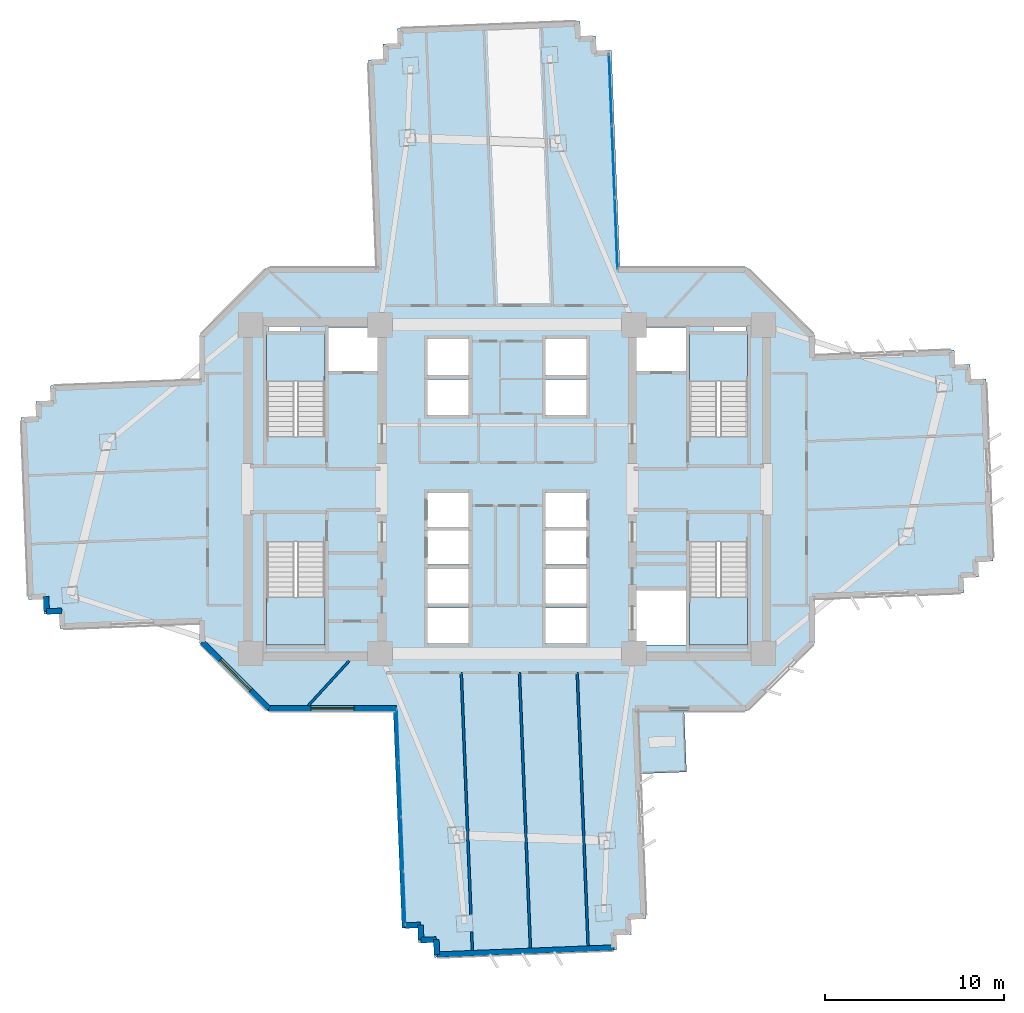
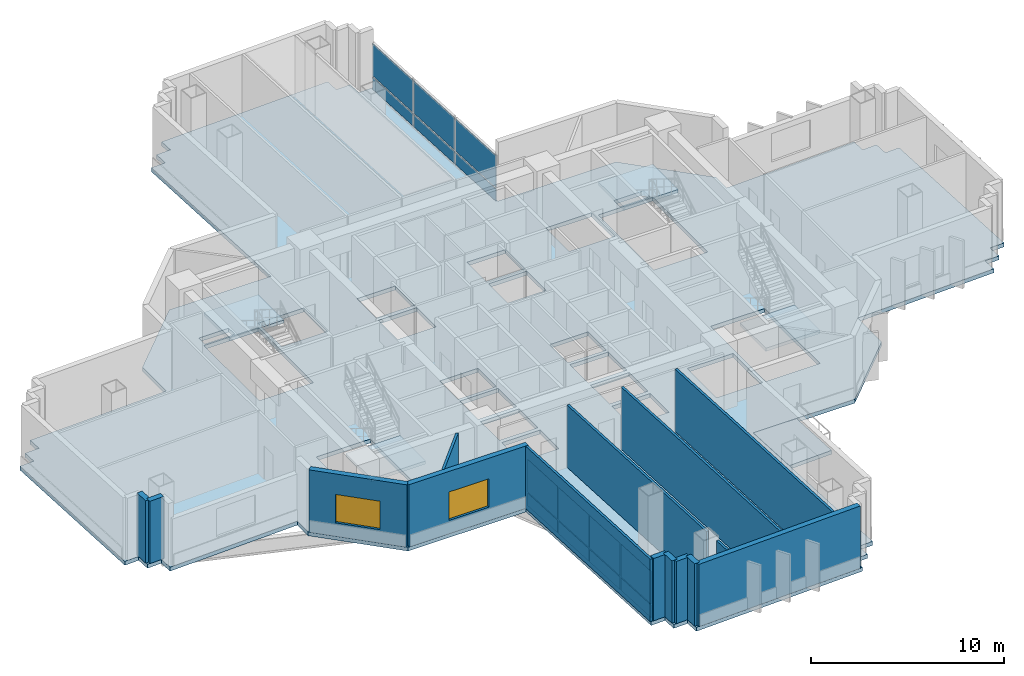
# One storey, part 5 of 16: 15 walls, 14 plates, 6 slabs, 2 windows, 2 openings, 6 elements without a shape of their own.
"""IFC4 building model written with IfcOpenShell, lengths in metres."""

from ifc_helpers import new_model, si_unit, direction, frame, frame_2d, origin, origin_2d, place, context, subcontext, project, spatial, polyline, rectangle, outline, extrude, source, transform, mapped, material, layer, layer_set, type_object, element, fill, aggregate, save


model = new_model("IFC4")

# Units and contexts
model_context = context("Model", 3, precision=1e-05, world=origin(), true_north=direction((0.0, 1.0)))
body_context = subcontext(model_context, "Body", "Model", "MODEL_VIEW")
ifc_project = project(units=[si_unit("LENGTHUNIT", "METRE"), si_unit("AREAUNIT", "SQUARE_METRE"), si_unit("VOLUMEUNIT", "CUBIC_METRE"), si_unit("PLANEANGLEUNIT", "RADIAN"), si_unit("MASSUNIT", "GRAM", prefix="KILO")], contexts=[model_context])

# Site, building, storey
site_placement = place(None, origin())
site = spatial("IfcSite", under=ifc_project, at=site_placement, CompositionType="ELEMENT")
building_placement = place(site_placement, origin())
building = spatial("IfcBuilding", under=site, at=building_placement, Name="Zahravan Cultural Tower", CompositionType="ELEMENT")
storey_placement = place(building_placement, frame((0.0, 0.0, 54.300048828125)))
storey = spatial("IfcBuildingStorey", under=building, at=storey_placement, Name="L11", CompositionType="ELEMENT", Elevation=54.300048828125)

# Stair, slab
ifc_material_1 = material(Name="Concrete C45/55", Category="concrete")
stair_type = type_object("IfcStairType", Name="STR-DL-1550-420", PredefinedType="HALF_TURN_STAIR", material=ifc_material_1)
stair_1_placement = place(storey_placement, origin())
stair_1 = element("IfcStair", 1, at=stair_1_placement, inside=storey, type_object=stair_type, Name="L11 West Core North Exit Stair ST-W1", PredefinedType="HALF_TURN_STAIR")
ifc_layer_1 = layer(ifc_material_1, 0.199951171875)
ifc_layer_set_1 = layer_set([ifc_layer_1], Name="Concrete C45/55")
slab_type_1 = type_object("IfcSlabType", Name="SL-STAIR-LND200", PredefinedType="LANDING", material=ifc_layer_set_1)
slab_1_placement = place(storey_placement, frame((0.0, 0.0, 1.89990234375)))
slab_1 = element("IfcSlab", 2, at=slab_1_placement, type_object=slab_type_1, Name="ST-W1 landing 1", PredefinedType="LANDING", context=body_context, shape_type="SweptSolid", body=[
    extrude(outline(polyline([(25.800048828125, 33.030029296875), (25.800048828125, 35.699951171875), (22.550048828125, 35.699951171875), (22.550048828125, 33.030029296875), (25.800048828125, 33.030029296875)])), origin(), (0.0, 0.0, 1.0), 0.199951171875),
])
aggregate(stair_1, [slab_1])

stair_2_placement = place(storey_placement, origin())
stair_2 = element("IfcStair", 3, at=stair_2_placement, inside=storey, type_object=stair_type, Name="L11 West Core South Exit Stair ST-W2", PredefinedType="HALF_TURN_STAIR")
slab_2_placement = place(storey_placement, frame((0.0, 0.0, 1.89990234375)))
slab_2 = element("IfcSlab", 4, at=slab_2_placement, type_object=slab_type_1, Name="ST-W2 landing 1", PredefinedType="LANDING", context=body_context, shape_type="SweptSolid", body=[
    extrude(outline(polyline([(22.550048828125, 20.969970703125), (22.550048828125, 18.300048828125), (25.800048828125, 18.300048828125), (25.800048828125, 20.969970703125), (22.550048828125, 20.969970703125)])), origin(), (0.0, 0.0, 1.0), 0.199951171875),
])
aggregate(stair_2, [slab_2])

stair_3_placement = place(storey_placement, origin())
stair_3 = element("IfcStair", 5, at=stair_3_placement, inside=storey, type_object=stair_type, Name="L11 East Core North Exit Stair ST-E1", PredefinedType="HALF_TURN_STAIR")
slab_3_placement = place(storey_placement, frame((0.0, 0.0, 1.89990234375)))
slab_3 = element("IfcSlab", 6, at=slab_3_placement, type_object=slab_type_1, Name="ST-E1 landing 1", PredefinedType="LANDING", context=body_context, shape_type="SweptSolid", body=[
    extrude(outline(polyline([(49.449951171875, 33.030029296875), (49.449951171875, 35.699951171875), (46.199951171875, 35.699951171875), (46.199951171875, 33.030029296875), (49.449951171875, 33.030029296875)])), origin(), (0.0, 0.0, 1.0), 0.199951171875),
])
aggregate(stair_3, [slab_3])

stair_4_placement = place(storey_placement, origin())
stair_4 = element("IfcStair", 7, at=stair_4_placement, inside=storey, type_object=stair_type, Name="L11 East Core South Exit Stair ST-E2", PredefinedType="HALF_TURN_STAIR")
slab_4_placement = place(storey_placement, frame((0.0, 0.0, 1.89990234375)))
slab_4 = element("IfcSlab", 8, at=slab_4_placement, type_object=slab_type_1, Name="ST-E2 landing 1", PredefinedType="LANDING", context=body_context, shape_type="SweptSolid", body=[
    extrude(outline(polyline([(46.199951171875, 20.969970703125), (46.199951171875, 18.300048828125), (49.449951171875, 18.300048828125), (49.449951171875, 20.969970703125), (46.199951171875, 20.969970703125)])), origin(), (0.0, 0.0, 1.0), 0.199951171875),
])
aggregate(stair_4, [slab_4])

# Slabs
ifc_material_2 = material(Name="Concrete C40/50", Category="concrete")
ifc_layer_2 = layer(ifc_material_2, 0.239990234375)
ifc_layer_set_2 = layer_set([ifc_layer_2], Name="Concrete C40/50")
slab_type_2 = type_object("IfcSlabType", Name="SL-TERR-240", PredefinedType="FLOOR", material=ifc_layer_set_2)
slab_5_placement = place(storey_placement, frame((0.0, 0.0, -0.239990234375)))
element("IfcSlab", 9, at=slab_5_placement, inside=storey, type_object=slab_type_2, Name="L11 Planted Sculpture Terrace SE", PredefinedType="FLOOR", context=body_context, shape_type="SweptSolid", body=[
    extrude(outline(polyline([(46.037109375, 11.186767578125), (45.9013671875, 14.594970703125), (43.30419921875, 14.594970703125), (43.444091796875, 11.08349609375), (46.037109375, 11.186767578125)])), origin(), (0.0, 0.0, 1.0), 0.239990234375),
])
ifc_layer_3 = layer(ifc_material_2, 0.25)
ifc_layer_set_3 = layer_set([ifc_layer_3], Name="Concrete C40/50")
slab_type_3 = type_object("IfcSlabType", Name="SL-TYP-250", PredefinedType="FLOOR", material=ifc_layer_set_3)
slab_6_placement = place(storey_placement, frame((0.0, 0.0, -0.25)))
element("IfcSlab", 10, at=slab_6_placement, inside=storey, type_object=slab_type_3, Name="L11 Structural Floor Slab", PredefinedType="FLOOR", context=body_context, shape_type="SweptSolid", body=[
    extrude(outline(polyline([(53.199951171875, 34.490234375), (53.199951171875, 35.60009765625), (49.39990234375, 39.39990234375), (42.311767578125, 39.39990234375), (41.827880859375, 51.55126953125), (40.978515625, 51.517578125), (40.944580078125, 52.36669921875), (40.095458984375, 52.3330078125), (40.0615234375, 53.182373046875), (29.86962890625, 52.776611328125), (29.903564453125, 51.92724609375), (29.05419921875, 51.893310546875), (29.087890625, 51.044189453125), (28.23876953125, 51.01025390625), (28.700927734375, 39.39990234375), (22.60009765625, 39.39990234375), (18.800048828125, 35.60009765625), (18.800048828125, 33.12060546875), (10.449462890625, 32.7880859375), (10.4833984375, 31.938720703125), (9.634033203125, 31.905029296875), (9.667724609375, 31.0556640625), (8.818603515625, 31.021728515625), (9.224365234375, 20.829833984375), (10.073486328125, 20.86376953125), (10.107421875, 20.014404296875), (10.956787109375, 20.048095703125), (10.990478515625, 19.198974609375), (18.800048828125, 19.509765625), (18.800048828125, 18.39990234375), (22.60009765625, 14.60009765625), (29.688232421875, 14.60009765625), (30.172119140625, 2.44873046875), (31.021484375, 2.482421875), (31.055419921875, 1.63330078125), (31.904541015625, 1.6669921875), (31.9384765625, 0.817626953125), (42.13037109375, 1.223388671875), (42.096435546875, 2.07275390625), (42.94580078125, 2.106689453125), (42.912109375, 2.955810546875), (43.76123046875, 2.98974609375), (43.299072265625, 14.60009765625), (49.39990234375, 14.60009765625), (53.199951171875, 18.39990234375), (53.199951171875, 20.87939453125), (61.550537109375, 21.2119140625), (61.5166015625, 22.061279296875), (62.365966796875, 22.094970703125), (62.332275390625, 22.9443359375), (63.181396484375, 22.978271484375), (62.775634765625, 33.170166015625), (61.926513671875, 33.13623046875), (61.892578125, 33.985595703125), (61.043212890625, 33.951904296875), (61.009521484375, 34.801025390625), (53.199951171875, 34.490234375)]), holes=[polyline([(22.550048828125, 29.949951171875), (22.550048828125, 35.699951171875), (25.800048828125, 35.699951171875), (25.800048828125, 29.949951171875), (22.550048828125, 29.949951171875)]), polyline([(22.550048828125, 18.300048828125), (22.550048828125, 24.050048828125), (25.800048828125, 24.050048828125), (25.800048828125, 18.300048828125), (22.550048828125, 18.300048828125)]), polyline([(46.199951171875, 29.949951171875), (46.199951171875, 35.699951171875), (49.449951171875, 35.699951171875), (49.449951171875, 29.949951171875), (46.199951171875, 29.949951171875)]), polyline([(46.199951171875, 18.300048828125), (46.199951171875, 24.050048828125), (49.449951171875, 24.050048828125), (49.449951171875, 18.300048828125), (46.199951171875, 18.300048828125)]), polyline([(26.0, 33.60009765625), (26.0, 36.050048828125), (28.75, 36.050048828125), (28.75, 33.60009765625), (26.0, 33.60009765625)]), polyline([(43.25, 33.60009765625), (43.25, 36.050048828125), (46.0, 36.050048828125), (46.0, 33.60009765625), (43.25, 33.60009765625)]), polyline([(43.25, 18.300048828125), (43.25, 21.35009765625), (46.0, 21.35009765625), (46.0, 18.300048828125), (43.25, 18.300048828125)]), polyline([(31.550048828125, 33.39990234375), (31.550048828125, 35.39990234375), (33.85009765625, 35.39990234375), (33.85009765625, 33.39990234375), (31.550048828125, 33.39990234375)]), polyline([(31.550048828125, 31.14990234375), (31.550048828125, 33.14990234375), (33.85009765625, 33.14990234375), (33.85009765625, 31.14990234375), (31.550048828125, 31.14990234375)]), polyline([(38.14990234375, 33.39990234375), (38.14990234375, 35.39990234375), (40.449951171875, 35.39990234375), (40.449951171875, 33.39990234375), (38.14990234375, 33.39990234375)]), polyline([(38.14990234375, 31.14990234375), (38.14990234375, 33.14990234375), (40.449951171875, 33.14990234375), (40.449951171875, 31.14990234375), (38.14990234375, 31.14990234375)]), polyline([(31.550048828125, 20.60009765625), (31.550048828125, 22.550048828125), (33.85009765625, 22.550048828125), (33.85009765625, 20.60009765625), (31.550048828125, 20.60009765625)]), polyline([(31.550048828125, 18.39990234375), (31.550048828125, 20.35009765625), (33.85009765625, 20.35009765625), (33.85009765625, 18.39990234375), (31.550048828125, 18.39990234375)]), polyline([(38.14990234375, 20.60009765625), (38.14990234375, 22.550048828125), (40.449951171875, 22.550048828125), (40.449951171875, 20.60009765625), (38.14990234375, 20.60009765625)]), polyline([(38.14990234375, 18.39990234375), (38.14990234375, 20.35009765625), (40.449951171875, 20.35009765625), (40.449951171875, 18.39990234375), (38.14990234375, 18.39990234375)]), polyline([(31.550048828125, 24.89990234375), (31.550048828125, 26.800048828125), (33.85009765625, 26.800048828125), (33.85009765625, 24.89990234375), (31.550048828125, 24.89990234375)]), polyline([(31.550048828125, 22.800048828125), (31.550048828125, 24.699951171875), (33.85009765625, 24.699951171875), (33.85009765625, 22.800048828125), (31.550048828125, 22.800048828125)]), polyline([(38.14990234375, 24.89990234375), (38.14990234375, 26.800048828125), (40.449951171875, 26.800048828125), (40.449951171875, 24.89990234375), (38.14990234375, 24.89990234375)]), polyline([(38.14990234375, 22.800048828125), (38.14990234375, 24.699951171875), (40.449951171875, 24.699951171875), (40.449951171875, 22.800048828125), (38.14990234375, 22.800048828125)]), polyline([(22.64990234375, 35.800048828125), (22.64990234375, 36.419921875), (24.449951171875, 36.419921875), (24.449951171875, 35.800048828125), (22.64990234375, 35.800048828125)]), polyline([(47.550048828125, 35.800048828125), (47.550048828125, 36.419921875), (49.35009765625, 36.419921875), (49.35009765625, 35.800048828125), (47.550048828125, 35.800048828125)])]), origin(), (0.0, 0.0, 1.0), 0.25),
])

# Curtain wall, plates
ifc_material_3 = material(Name="Anodised bronze-aluminium mullion", Category="aluminium")
ifc_layer_4 = layer(ifc_material_3, 0.1650390625)
ifc_layer_set_4 = layer_set([ifc_layer_4], Name="Anodised bronze-aluminium mullion")
curtain_wall_type_1 = type_object("IfcCurtainWallType", Name="CW-SYS-4", PredefinedType="USERDEFINED", material=ifc_layer_set_4)
curtain_wall_1_placement = place(storey_placement, origin())
curtain_wall_1 = element("IfcCurtainWall", 11, at=curtain_wall_1_placement, inside=storey, type_object=curtain_wall_type_1, Name="L11 Recessed Curtain Wall CW-4.1", ObjectType="RECESSED GLAZING", PredefinedType="USERDEFINED")
ifc_material_4 = material(Name="Low-E solar-control double glazing", Category="glass")
ifc_layer_5 = layer(ifc_material_4, 0.02587890625)
ifc_layer_set_5 = layer_set([ifc_layer_5], Name="Low-E solar-control double glazing")
plate_type_1 = type_object("IfcPlateType", Name="CWP-CW-4", PredefinedType="CURTAIN_PANEL", material=ifc_layer_set_5)
shared_shape_1 = source(origin(), body_context, "Body", "SweptSolid", [
    extrude(rectangle(XDim=2.94140625, YDim=0.02587890625, at=origin_2d()), origin(), (0.0, 0.0, 1.0), 0.802490234375),
])
plate_1_placement = place(storey_placement, frame((30.245361328125, 4.128662109375, 0.06494140625), z_axis=(0.0, 0.0, 1.0), x_axis=(-0.039784709273, 0.99920827504, 0.0)))
plate_1 = element("IfcPlate", 12, at=plate_1_placement, type_object=plate_type_1, Name="CW-4 panel 1.1", PredefinedType="CURTAIN_PANEL", context=body_context, shape_type="MappedRepresentation", body=[
    mapped(shared_shape_1, transform((0.0, 0.0, 0.0), x_axis=(1.0, 0.0, 0.0), y_axis=(0.0, 1.0, 0.0), z_axis=(0.0, 0.0, 1.0), scale=1.0)),
])
plate_2_placement = place(storey_placement, frame((29.8837890625, 13.20556640625, 0.06494140625), z_axis=(0.0, 0.0, 1.0), x_axis=(-0.039784709273, 0.99920827504, 0.0)))
plate_2 = element("IfcPlate", 13, at=plate_2_placement, type_object=plate_type_1, Name="CW-4 panel 4.1", PredefinedType="CURTAIN_PANEL", context=body_context, shape_type="MappedRepresentation", body=[
    mapped(shared_shape_1, transform((0.0, 0.0, 0.0), x_axis=(1.0, 0.0, 0.0), y_axis=(0.0, 1.0, 0.0), z_axis=(0.0, 0.0, 1.0), scale=1.0)),
])
shared_shape_2 = source(origin(), body_context, "Body", "SweptSolid", [
    extrude(rectangle(XDim=2.94140625, YDim=0.02587890625, at=origin_2d()), origin(), (0.0, 0.0, 1.0), 2.072509765625),
])
plate_3_placement = place(storey_placement, frame((30.245361328125, 4.128662109375, 0.9326171875), z_axis=(0.0, 0.0, 1.0), x_axis=(-0.039784709273, 0.99920827504, 0.0)))
plate_3 = element("IfcPlate", 14, at=plate_3_placement, type_object=plate_type_1, Name="CW-4 panel 1.2", PredefinedType="CURTAIN_PANEL", context=body_context, shape_type="MappedRepresentation", body=[
    mapped(shared_shape_2, transform((0.0, 0.0, 0.0), x_axis=(1.0, 0.0, 0.0), y_axis=(0.0, 1.0, 0.0), z_axis=(0.0, 0.0, 1.0), scale=1.0)),
])
plate_4_placement = place(storey_placement, frame((29.8837890625, 13.20556640625, 0.9326171875), z_axis=(0.0, 0.0, 1.0), x_axis=(-0.039784709273, 0.99920827504, 0.0)))
plate_4 = element("IfcPlate", 15, at=plate_4_placement, type_object=plate_type_1, Name="CW-4 panel 4.2", PredefinedType="CURTAIN_PANEL", context=body_context, shape_type="MappedRepresentation", body=[
    mapped(shared_shape_2, transform((0.0, 0.0, 0.0), x_axis=(1.0, 0.0, 0.0), y_axis=(0.0, 1.0, 0.0), z_axis=(0.0, 0.0, 1.0), scale=1.0)),
])
shared_shape_3 = source(origin(), body_context, "Body", "SweptSolid", [
    extrude(rectangle(XDim=2.973876953125, YDim=0.02587890625, at=origin_2d()), origin(), (0.0, 0.0, 1.0), 0.802490234375),
])
plate_5_placement = place(storey_placement, frame((30.125, 7.14892578125, 0.06494140625), z_axis=(0.0, 0.0, 1.0), x_axis=(-0.039784709273, 0.99920827504, 0.0)))
plate_5 = element("IfcPlate", 16, at=plate_5_placement, type_object=plate_type_1, Name="CW-4 panel 2.1", PredefinedType="CURTAIN_PANEL", context=body_context, shape_type="MappedRepresentation", body=[
    mapped(shared_shape_3, transform((0.0, 0.0, 0.0), x_axis=(1.0, 0.0, 0.0), y_axis=(0.0, 1.0, 0.0), z_axis=(0.0, 0.0, 1.0), scale=1.0)),
])
plate_6_placement = place(storey_placement, frame((30.004150390625, 10.185302734375, 0.06494140625), z_axis=(0.0, 0.0, 1.0), x_axis=(-0.039784709273, 0.99920827504, 0.0)))
plate_6 = element("IfcPlate", 17, at=plate_6_placement, type_object=plate_type_1, Name="CW-4 panel 3.1", PredefinedType="CURTAIN_PANEL", context=body_context, shape_type="MappedRepresentation", body=[
    mapped(shared_shape_3, transform((0.0, 0.0, 0.0), x_axis=(1.0, 0.0, 0.0), y_axis=(0.0, 1.0, 0.0), z_axis=(0.0, 0.0, 1.0), scale=1.0)),
])
shared_shape_4 = source(origin(), body_context, "Body", "SweptSolid", [
    extrude(rectangle(XDim=2.973876953125, YDim=0.02587890625, at=origin_2d()), origin(), (0.0, 0.0, 1.0), 2.072509765625),
])
plate_7_placement = place(storey_placement, frame((30.125, 7.14892578125, 0.9326171875), z_axis=(0.0, 0.0, 1.0), x_axis=(-0.039784709273, 0.99920827504, 0.0)))
plate_7 = element("IfcPlate", 18, at=plate_7_placement, type_object=plate_type_1, Name="CW-4 panel 2.2", PredefinedType="CURTAIN_PANEL", context=body_context, shape_type="MappedRepresentation", body=[
    mapped(shared_shape_4, transform((0.0, 0.0, 0.0), x_axis=(1.0, 0.0, 0.0), y_axis=(0.0, 1.0, 0.0), z_axis=(0.0, 0.0, 1.0), scale=1.0)),
])
plate_8_placement = place(storey_placement, frame((30.004150390625, 10.185302734375, 0.9326171875), z_axis=(0.0, 0.0, 1.0), x_axis=(-0.039784709273, 0.99920827504, 0.0)))
plate_8 = element("IfcPlate", 19, at=plate_8_placement, type_object=plate_type_1, Name="CW-4 panel 3.2", PredefinedType="CURTAIN_PANEL", context=body_context, shape_type="MappedRepresentation", body=[
    mapped(shared_shape_4, transform((0.0, 0.0, 0.0), x_axis=(1.0, 0.0, 0.0), y_axis=(0.0, 1.0, 0.0), z_axis=(0.0, 0.0, 1.0), scale=1.0)),
])
aggregate(curtain_wall_1, [plate_1, plate_3, plate_5, plate_7, plate_6, plate_8, plate_2, plate_4])

ifc_layer_6 = layer(ifc_material_3, 0.219970703125)
ifc_layer_set_6 = layer_set([ifc_layer_6], Name="Anodised bronze-aluminium mullion")
curtain_wall_type_2 = type_object("IfcCurtainWallType", Name="CW-SYS-1", PredefinedType="USERDEFINED", material=ifc_layer_set_6)
curtain_wall_2_placement = place(storey_placement, origin())
curtain_wall_2 = element("IfcCurtainWall", 20, at=curtain_wall_2_placement, inside=storey, type_object=curtain_wall_type_2, Name="L11 Recessed Curtain Wall CW-1.2", ObjectType="RECESSED GLAZING", PredefinedType="USERDEFINED")
ifc_layer_7 = layer(ifc_material_4, 0.031982421875)
ifc_layer_set_7 = layer_set([ifc_layer_7], Name="Low-E solar-control double glazing")
plate_type_2 = type_object("IfcPlateType", Name="CWP-CW-1", PredefinedType="CURTAIN_PANEL", material=ifc_layer_set_7)
shared_shape_5 = source(origin(), body_context, "Body", "SweptSolid", [
    extrude(rectangle(XDim=3.931884765625, YDim=0.031982421875, at=origin_2d()), origin(), (0.0, 0.0, 1.0), 0.780029296875),
])
plate_9_placement = place(storey_placement, frame((41.77490234375, 49.361572265625, 0.080078125), z_axis=(0.0, 0.0, 1.0), x_axis=(0.039784709273, -0.99920827504, 0.0)))
plate_9 = element("IfcPlate", 21, at=plate_9_placement, type_object=plate_type_2, Name="CW-1 panel 1.1", PredefinedType="CURTAIN_PANEL", context=body_context, shape_type="MappedRepresentation", body=[
    mapped(shared_shape_5, transform((0.0, 0.0, 0.0), x_axis=(1.0, 0.0, 0.0), y_axis=(0.0, 1.0, 0.0), z_axis=(0.0, 0.0, 1.0), scale=1.0)),
])
plate_10_placement = place(storey_placement, frame((42.095703125, 41.30419921875, 0.080078125), z_axis=(0.0, 0.0, 1.0), x_axis=(0.039784709273, -0.99920827504, 0.0)))
plate_10 = element("IfcPlate", 22, at=plate_10_placement, type_object=plate_type_2, Name="CW-1 panel 3.1", PredefinedType="CURTAIN_PANEL", context=body_context, shape_type="MappedRepresentation", body=[
    mapped(shared_shape_5, transform((0.0, 0.0, 0.0), x_axis=(1.0, 0.0, 0.0), y_axis=(0.0, 1.0, 0.0), z_axis=(0.0, 0.0, 1.0), scale=1.0)),
])
shared_shape_6 = source(origin(), body_context, "Body", "SweptSolid", [
    extrude(rectangle(XDim=3.931884765625, YDim=0.031982421875, at=origin_2d()), origin(), (0.0, 0.0, 1.0), 2.050048828125),
])
plate_11_placement = place(storey_placement, frame((41.77490234375, 49.361572265625, 0.93994140625), z_axis=(0.0, 0.0, 1.0), x_axis=(0.039784709273, -0.99920827504, 0.0)))
plate_11 = element("IfcPlate", 23, at=plate_11_placement, type_object=plate_type_2, Name="CW-1 panel 1.2", PredefinedType="CURTAIN_PANEL", context=body_context, shape_type="MappedRepresentation", body=[
    mapped(shared_shape_6, transform((0.0, 0.0, 0.0), x_axis=(1.0, 0.0, 0.0), y_axis=(0.0, 1.0, 0.0), z_axis=(0.0, 0.0, 1.0), scale=1.0)),
])
plate_12_placement = place(storey_placement, frame((42.095703125, 41.30419921875, 0.93994140625), z_axis=(0.0, 0.0, 1.0), x_axis=(0.039784709273, -0.99920827504, 0.0)))
plate_12 = element("IfcPlate", 24, at=plate_12_placement, type_object=plate_type_2, Name="CW-1 panel 3.2", PredefinedType="CURTAIN_PANEL", context=body_context, shape_type="MappedRepresentation", body=[
    mapped(shared_shape_6, transform((0.0, 0.0, 0.0), x_axis=(1.0, 0.0, 0.0), y_axis=(0.0, 1.0, 0.0), z_axis=(0.0, 0.0, 1.0), scale=1.0)),
])
shared_shape_7 = source(origin(), body_context, "Body", "SweptSolid", [
    extrude(rectangle(XDim=3.971923828125, YDim=0.031982421875, at=origin_2d()), origin(), (0.0, 0.0, 1.0), 0.780029296875),
])
plate_13_placement = place(storey_placement, frame((41.935302734375, 45.3330078125, 0.080078125), z_axis=(0.0, 0.0, 1.0), x_axis=(0.039784709273, -0.99920827504, 0.0)))
plate_13 = element("IfcPlate", 25, at=plate_13_placement, type_object=plate_type_2, Name="CW-1 panel 2.1", PredefinedType="CURTAIN_PANEL", context=body_context, shape_type="MappedRepresentation", body=[
    mapped(shared_shape_7, transform((0.0, 0.0, 0.0), x_axis=(1.0, 0.0, 0.0), y_axis=(0.0, 1.0, 0.0), z_axis=(0.0, 0.0, 1.0), scale=1.0)),
])
shared_shape_8 = source(origin(), body_context, "Body", "SweptSolid", [
    extrude(rectangle(XDim=3.971923828125, YDim=0.031982421875, at=origin_2d()), origin(), (0.0, 0.0, 1.0), 2.050048828125),
])
plate_14_placement = place(storey_placement, frame((41.935302734375, 45.3330078125, 0.93994140625), z_axis=(0.0, 0.0, 1.0), x_axis=(0.039784709273, -0.99920827504, 0.0)))
plate_14 = element("IfcPlate", 26, at=plate_14_placement, type_object=plate_type_2, Name="CW-1 panel 2.2", PredefinedType="CURTAIN_PANEL", context=body_context, shape_type="MappedRepresentation", body=[
    mapped(shared_shape_8, transform((0.0, 0.0, 0.0), x_axis=(1.0, 0.0, 0.0), y_axis=(0.0, 1.0, 0.0), z_axis=(0.0, 0.0, 1.0), scale=1.0)),
])
aggregate(curtain_wall_2, [plate_9, plate_11, plate_13, plate_14, plate_10, plate_12])

# Wall, opening, window
ifc_material_5 = material(Name="Precast concrete C40/50", Category="concrete")
ifc_layer_8 = layer(ifc_material_5, 0.320068359375)
ifc_layer_set_8 = layer_set([ifc_layer_8], Name="Precast concrete C40/50")
wall_type_1 = type_object("IfcWallType", Name="EW-TC-320", PredefinedType="SOLIDWALL", material=ifc_layer_set_8)
wall_1_placement = place(storey_placement, frame((29.82275390625, 14.739990234375, 0.0), z_axis=(0.0, 0.0, 1.0), x_axis=(-1.0, 0.0, 0.0)))
wall_1 = element("IfcWall", 27, at=wall_1_placement, inside=storey, type_object=wall_type_1, Name="L11 Exterior Masonry Frame Wall 25", PredefinedType="SOLIDWALL", context=body_context, shape_type="SweptSolid", body=[
    extrude(rectangle(XDim=7.164794921875, YDim=0.320068359375, at=frame_2d((3.58251953125, 0.0))), origin(), (0.0, 0.0, 1.0), 3.949951171875),
])
opening_1_placement = place(wall_1_placement, frame((2.382080078125, 0.0, 0.85009765625)))
opening_1 = element("IfcOpeningElement", 28, at=opening_1_placement, cuts=wall_1, Name="Opening WN-01", PredefinedType="OPENING", context=body_context, shape_type="SweptSolid", body=[
    extrude(rectangle(XDim=2.39990234375, YDim=1.800048828125, at=frame_2d((1.199951171875, 0.89990234375))), frame((0.0, 0.169921875, 0.0), z_axis=(0.0, -1.0, 0.0), x_axis=(1.0, 0.0, 0.0)), (0.0, 0.0, 1.0), 0.340087890625),
])
window_type = type_object("IfcWindowType", Name="WN-REC-2400X1800", PartitioningType="DOUBLE_PANEL_VERTICAL", PredefinedType="WINDOW", material=ifc_material_4)
shared_shape_9 = source(origin(), body_context, "Body", "SweptSolid", [
    extrude(rectangle(XDim=2.39990234375, YDim=1.800048828125, at=frame_2d((1.199951171875, 0.89990234375))), frame((0.0, 0.030029296875, 0.0), z_axis=(0.0, -1.0, 0.0), x_axis=(1.0, 0.0, 0.0)), (0.0, 0.0, 1.0), 0.06005859375),
])
window_1_placement = place(opening_1_placement, origin())
window_1 = element("IfcWindow", 29, at=window_1_placement, inside=storey, type_object=window_type, Name="L11 Recessed Solar Window 06", OverallHeight=1.800048828125, OverallWidth=2.39990234375, PartitioningType="DOUBLE_PANEL_VERTICAL", PredefinedType="WINDOW", context=body_context, shape_type="MappedRepresentation", body=[
    mapped(shared_shape_9, transform((0.0, 0.0, 0.0), x_axis=(1.0, 0.0, 0.0), y_axis=(0.0, 1.0, 0.0), z_axis=(0.0, 0.0, 1.0), scale=1.0)),
])
fill(opening_1, window_1)

wall_2_placement = place(storey_placement, frame((22.657958984375, 14.739990234375, 0.0), z_axis=(0.0, 0.0, 1.0), x_axis=(-0.707106781187, 0.707106781187, 0.0)))
wall_2 = element("IfcWall", 30, at=wall_2_placement, inside=storey, type_object=wall_type_1, Name="L11 Exterior Masonry Frame Wall 26", PredefinedType="SOLIDWALL", context=body_context, shape_type="SweptSolid", body=[
    extrude(rectangle(XDim=5.258056640625, YDim=0.320068359375, at=frame_2d((2.62890625, 0.0))), origin(), (0.0, 0.0, 1.0), 3.949951171875),
])
opening_2_placement = place(wall_2_placement, frame((1.428955078125, 0.0, 0.85009765625)))
opening_2 = element("IfcOpeningElement", 31, at=opening_2_placement, cuts=wall_2, Name="Opening WN-01", PredefinedType="OPENING", context=body_context, shape_type="SweptSolid", body=[
    extrude(rectangle(XDim=2.39990234375, YDim=1.800048828125, at=frame_2d((1.199951171875, 0.89990234375))), frame((0.0, 0.169921875, 0.0), z_axis=(0.0, -1.0, 0.0), x_axis=(1.0, 0.0, 0.0)), (0.0, 0.0, 1.0), 0.340087890625),
])
window_2_placement = place(opening_2_placement, origin())
window_2 = element("IfcWindow", 32, at=window_2_placement, inside=storey, type_object=window_type, Name="L11 Recessed Solar Window 07", OverallHeight=1.800048828125, OverallWidth=2.39990234375, PartitioningType="DOUBLE_PANEL_VERTICAL", PredefinedType="WINDOW", context=body_context, shape_type="MappedRepresentation", body=[
    mapped(shared_shape_9, transform((0.0, 0.0, 0.0), x_axis=(1.0, 0.0, 0.0), y_axis=(0.0, 1.0, 0.0), z_axis=(0.0, 0.0, 1.0), scale=1.0)),
])
fill(opening_2, window_2)

# Walls
shared_shape_10 = source(origin(), body_context, "Body", "SweptSolid", [
    extrude(rectangle(XDim=0.849853515625, YDim=0.320068359375, at=frame_2d((0.4248046875, 0.0))), origin(), (0.0, 0.0, 1.0), 3.949951171875),
])
for number, where, z_axis, x_axis, name in (
    (33, (32.038818359375, 1.8125, 0.0), (0.0, 0.0, 1.0), (-0.999213757356, -0.039646779332, 0.0), "L11 Exterior Masonry Frame Wall 22"),
    (34, (31.189697265625, 1.77880859375, 0.0), (0.0, 0.0, 1.0), (-0.039933618331, 0.999202334929, 0.0), "L11 Exterior Masonry Frame Wall 23"),
):
    element("IfcWall", number, at=place(storey_placement, frame(where, z_axis=z_axis, x_axis=x_axis)), inside=storey, type_object=wall_type_1, Name=name, PredefinedType="SOLIDWALL", context=body_context, shape_type="MappedRepresentation", body=[
        mapped(shared_shape_10, transform((0.0, 0.0, 0.0), x_axis=(1.0, 0.0, 0.0), y_axis=(0.0, 1.0, 0.0), z_axis=(0.0, 0.0, 1.0), scale=1.0)),
    ])
shared_shape_11 = source(origin(), body_context, "Body", "SweptSolid", [
    extrude(rectangle(XDim=0.85009765625, YDim=0.320068359375, at=frame_2d((0.425048828125, 0.0))), origin(), (0.0, 0.0, 1.0), 3.949951171875),
])
for number, where, z_axis, x_axis, name in (
    (35, (32.07275390625, 0.963134765625, 0.0), (0.0, 0.0, 1.0), (-0.039922158152, 0.999202792875, 0.0), "L11 Exterior Masonry Frame Wall 21"),
    (36, (31.15576171875, 2.6279296875, 0.0), (0.0, 0.0, 1.0), (-0.999214208752, -0.039635401209, 0.0), "L11 Exterior Masonry Frame Wall 24"),
    (37, (11.091064453125, 20.193603515625, 0.0), (0.0, 0.0, 1.0), (-0.999214208752, -0.039635401209, 0.0), "L11 Exterior Masonry Frame Wall 30"),
    (38, (10.24169921875, 20.159912109375, 0.0), (0.0, 0.0, 1.0), (-0.039635401209, 0.999214208752, 0.0), "L11 Exterior Masonry Frame Wall 31"),
):
    element("IfcWall", number, at=place(storey_placement, frame(where, z_axis=z_axis, x_axis=x_axis)), inside=storey, type_object=wall_type_1, Name=name, PredefinedType="SOLIDWALL", context=body_context, shape_type="MappedRepresentation", body=[
        mapped(shared_shape_11, transform((0.0, 0.0, 0.0), x_axis=(1.0, 0.0, 0.0), y_axis=(0.0, 1.0, 0.0), z_axis=(0.0, 0.0, 1.0), scale=1.0)),
    ])
shared_shape_12 = source(origin(), body_context, "Body", "SweptSolid", [
    extrude(rectangle(XDim=9.919921875, YDim=0.320068359375, at=frame_2d((4.9599609375, 0.0))), origin(), (0.0, 0.0, 1.0), 3.949951171875),
])
wall_3_placement = place(storey_placement, frame((41.98486328125, 1.35791015625, 0.0), z_axis=(0.0, 0.0, 1.0), x_axis=(-0.999207823998, -0.039796035749, 0.0)))
element("IfcWall", 39, at=wall_3_placement, inside=storey, type_object=wall_type_1, Name="L11 Exterior Masonry Frame Wall 20", PredefinedType="SOLIDWALL", context=body_context, shape_type="MappedRepresentation", body=[
    mapped(shared_shape_12, transform((0.0, 0.0, 0.0), x_axis=(1.0, 0.0, 0.0), y_axis=(0.0, 1.0, 0.0), z_axis=(0.0, 0.0, 1.0), scale=1.0)),
])
ifc_material_6 = material(Name="Gypsum plasterboard partition")
ifc_layer_9 = layer(ifc_material_6, 0.139892578125)
ifc_layer_set_9 = layer_set([ifc_layer_9], Name="Gypsum plasterboard partition")
wall_type_2 = type_object("IfcWallType", Name="W-PART-140", PredefinedType="PARTITIONING", material=ifc_layer_set_9)
shared_shape_13 = source(origin(), body_context, "Body", "SweptSolid", [
    extrude(rectangle(XDim=15.415771484375, YDim=0.139892578125, at=frame_2d((7.7080078125, 0.0))), origin(), (0.0, 0.0, 1.0), 3.949951171875),
])
wall_4_placement = place(storey_placement, frame((37.302001953125, 1.33642578125, 0.0), z_axis=(0.0, 0.0, 1.0), x_axis=(-0.039782723686, 0.999208354096, 0.0)))
element("IfcWall", 40, at=wall_4_placement, inside=storey, type_object=wall_type_2, Name="L11 Interior Wall 100", PredefinedType="PARTITIONING", context=body_context, shape_type="MappedRepresentation", body=[
    mapped(shared_shape_13, transform((0.0, 0.0, 0.0), x_axis=(1.0, 0.0, 0.0), y_axis=(0.0, 1.0, 0.0), z_axis=(0.0, 0.0, 1.0), scale=1.0)),
])
shared_shape_14 = source(origin(), body_context, "Body", "SweptSolid", [
    extrude(rectangle(XDim=15.2861328125, YDim=0.139892578125, at=frame_2d((7.64306640625, 0.0))), origin(), (0.0, 0.0, 1.0), 3.949951171875),
])
wall_5_placement = place(storey_placement, frame((39.92138671875, 16.739013671875, 0.0), z_axis=(0.0, 0.0, 1.0), x_axis=(0.039769031662, -0.99920889914, 0.0)))
element("IfcWall", 41, at=wall_5_placement, inside=storey, type_object=wall_type_2, Name="L11 Interior Wall 102", PredefinedType="PARTITIONING", context=body_context, shape_type="MappedRepresentation", body=[
    mapped(shared_shape_14, transform((0.0, 0.0, 0.0), x_axis=(1.0, 0.0, 0.0), y_axis=(0.0, 1.0, 0.0), z_axis=(0.0, 0.0, 1.0), scale=1.0)),
])
shared_shape_15 = source(origin(), body_context, "Body", "SweptSolid", [
    extrude(rectangle(XDim=1.01611328125, YDim=0.139892578125, at=frame_2d((0.508056640625, 0.0))), origin(), (0.0, 0.0, 1.0), 3.949951171875),
])
wall_6_placement = place(storey_placement, frame((34.0546875, 1.207275390625, 0.0), z_axis=(0.0, 0.0, 1.0), x_axis=(-0.03988168596, 0.99920440908, 0.0)))
element("IfcWall", 42, at=wall_6_placement, inside=storey, type_object=wall_type_2, Name="L11 Interior Wall 106", PredefinedType="PARTITIONING", context=body_context, shape_type="MappedRepresentation", body=[
    mapped(shared_shape_15, transform((0.0, 0.0, 0.0), x_axis=(1.0, 0.0, 0.0), y_axis=(0.0, 1.0, 0.0), z_axis=(0.0, 0.0, 1.0), scale=1.0)),
])
shared_shape_16 = source(origin(), body_context, "Body", "SweptSolid", [
    extrude(rectangle(XDim=13.568115234375, YDim=0.139892578125, at=frame_2d((6.7841796875, 0.0))), origin(), (0.0, 0.0, 1.0), 3.949951171875),
])
wall_7_placement = place(storey_placement, frame((33.975830078125, 3.1826171875, 0.0), z_axis=(0.0, 0.0, 1.0), x_axis=(-0.039766111253, 0.99920901537, 0.0)))
element("IfcWall", 43, at=wall_7_placement, inside=storey, type_object=wall_type_2, Name="L11 Interior Wall 107", PredefinedType="PARTITIONING", context=body_context, shape_type="MappedRepresentation", body=[
    mapped(shared_shape_16, transform((0.0, 0.0, 0.0), x_axis=(1.0, 0.0, 0.0), y_axis=(0.0, 1.0, 0.0), z_axis=(0.0, 0.0, 1.0), scale=1.0)),
])
shared_shape_17 = source(origin(), body_context, "Body", "SweptSolid", [
    extrude(rectangle(XDim=3.374755859375, YDim=0.139892578125, at=frame_2d((1.6875, 0.0))), origin(), (0.0, 0.0, 1.0), 3.949951171875),
])
wall_8_placement = place(storey_placement, frame((27.161865234375, 17.39501953125, 0.0), z_axis=(0.0, 0.0, 1.0), x_axis=(-0.674974079893, -0.737841440604, 0.0)))
element("IfcWall", 44, at=wall_8_placement, inside=storey, type_object=wall_type_2, Name="L11 Interior Wall 122", PredefinedType="PARTITIONING", context=body_context, shape_type="MappedRepresentation", body=[
    mapped(shared_shape_17, transform((0.0, 0.0, 0.0), x_axis=(1.0, 0.0, 0.0), y_axis=(0.0, 1.0, 0.0), z_axis=(0.0, 0.0, 1.0), scale=1.0)),
])
shared_shape_18 = source(origin(), body_context, "Body", "SweptSolid", [
    extrude(rectangle(XDim=12.114990234375, YDim=0.139892578125, at=frame_2d((6.0576171875, 0.0))), origin(), (0.0, 0.0, 1.0), 3.949951171875),
])
wall_9_placement = place(storey_placement, frame((30.19140625, 2.469482421875, 0.0), z_axis=(0.0, 0.0, 1.0), x_axis=(-0.039799837716, 0.999207672568, 0.0)))
element("IfcWall", 45, at=wall_9_placement, inside=storey, type_object=wall_type_2, Name="L11 Interior Wall 126", PredefinedType="PARTITIONING", context=body_context, shape_type="MappedRepresentation", body=[
    mapped(shared_shape_18, transform((0.0, 0.0, 0.0), x_axis=(1.0, 0.0, 0.0), y_axis=(0.0, 1.0, 0.0), z_axis=(0.0, 0.0, 1.0), scale=1.0)),
])

save(model, "model.ifc")
